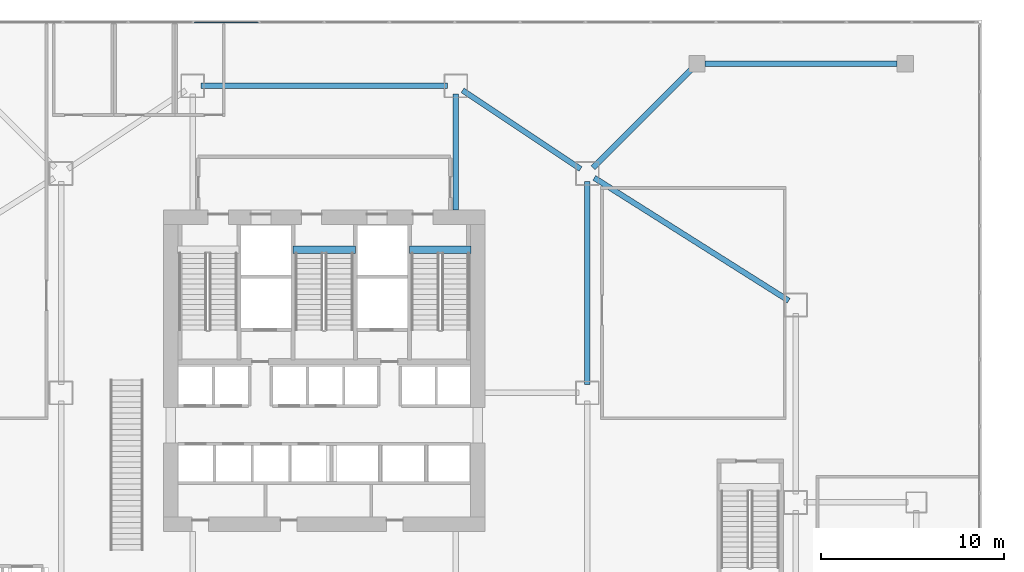
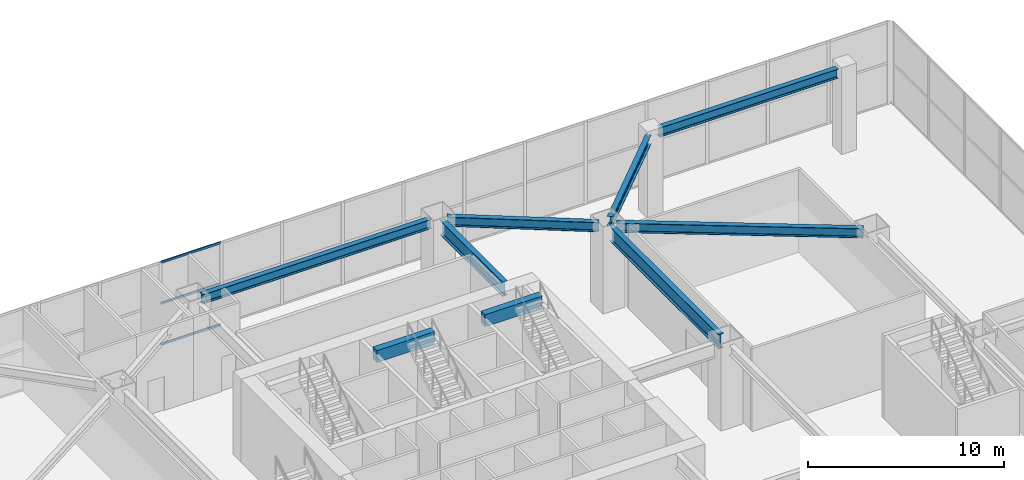
# One storey, part 18 of 37: 9 beams, 3 members, 1 element without a shape of its own.
"""IFC4 building model written with IfcOpenShell, lengths in metres."""

from ifc_helpers import new_model, si_unit, direction, frame, origin, origin_2d, place, context, subcontext, project, spatial, rectangle, hollow_rectangle, i_section, extrude, material, layer, layer_set, material_profile, profile_set, type_object, element, aggregate, save


model = new_model("IFC4")

# Units and contexts
model_context = context("Model", 3, precision=1e-05, world=origin(), true_north=direction((0.0, 1.0)))
body_context = subcontext(model_context, "Body", "Model", "MODEL_VIEW")
ifc_project = project(units=[si_unit("LENGTHUNIT", "METRE"), si_unit("AREAUNIT", "SQUARE_METRE"), si_unit("VOLUMEUNIT", "CUBIC_METRE"), si_unit("PLANEANGLEUNIT", "RADIAN"), si_unit("MASSUNIT", "GRAM", prefix="KILO")], contexts=[model_context])

# Site, building, storey
site_placement = place(None, origin())
site = spatial("IfcSite", under=ifc_project, at=site_placement, CompositionType="ELEMENT")
building_placement = place(site_placement, origin())
building = spatial("IfcBuilding", under=site, at=building_placement, Name="Haolan Belvedere Tower", CompositionType="ELEMENT")
storey_placement = place(building_placement, frame((0.0, 0.0, 10.199951171875)))
storey = spatial("IfcBuildingStorey", under=building, at=storey_placement, Name="L02", CompositionType="ELEMENT", Elevation=10.199951171875)

# Beams
ifc_material_1 = material(Name="Steel Q355B", Category="steel")
ifc_material_profile_1 = material_profile(ifc_material_1, i_section(OverallWidth=0.300048828125, OverallDepth=0.587890625, WebThickness=0.011962890625, FlangeThickness=0.02001953125, FilletRadius=0.028076171875, at=origin_2d()), Name="Steel Q355B")
ifc_profile_set_1 = profile_set([ifc_material_profile_1], Name="Steel Q355B")
beam_type_1 = type_object("IfcBeamType", Name="BM-HM588x300x12x20", PredefinedType="SPANDREL", material=ifc_profile_set_1)
beam_1_placement = place(storey_placement, frame((45.974365234375, 50.150390625, 4.865966796875), z_axis=(0.832050294338, -0.554700196225, 0.0), x_axis=(0.554700196225, 0.832050294338, 0.0)))
element("IfcBeam", 1, at=beam_1_placement, inside=storey, type_object=beam_type_1, Name="L02 spandrel girder MC-T3-N2-MC-T3-NE", PredefinedType="SPANDREL", context=body_context, shape_type="SweptSolid", body=[
    extrude(i_section(OverallWidth=0.300048828125, OverallDepth=0.587890625, WebThickness=0.011962890625, FlangeThickness=0.02001953125, FilletRadius=0.028076171875, at=origin_2d()), origin(), (0.0, 0.0, 1.0), 7.75341796875),
])
beam_2_placement = place(storey_placement, frame((31.64990234375, 50.39990234375, 4.865966796875), z_axis=(1.0, 0.0, 0.0), x_axis=(0.0, 1.0, 0.0)))
element("IfcBeam", 2, at=beam_2_placement, inside=storey, type_object=beam_type_1, Name="L02 spandrel girder MC-T3-N1-MC-T3-N2", PredefinedType="SPANDREL", context=body_context, shape_type="SweptSolid", body=[
    extrude(i_section(OverallWidth=0.300048828125, OverallDepth=0.587890625, WebThickness=0.011962890625, FlangeThickness=0.02001953125, FilletRadius=0.028076171875, at=origin_2d()), origin(), (0.0, 0.0, 1.0), 13.5),
])
beam_3_placement = place(storey_placement, frame((53.180419921875, 45.359619140625, 4.865966796875), z_axis=(0.845497201575, -0.5339798518, 0.0), x_axis=(0.5339798518, 0.845497201575, 0.0)))
element("IfcBeam", 3, at=beam_3_placement, inside=storey, type_object=beam_type_1, Name="L02 spandrel girder MC-T3-NE-MC-T4-NE", PredefinedType="SPANDREL", context=body_context, shape_type="SweptSolid", body=[
    extrude(i_section(OverallWidth=0.300048828125, OverallDepth=0.587890625, WebThickness=0.011962890625, FlangeThickness=0.02001953125, FilletRadius=0.028076171875, at=origin_2d()), origin(), (0.0, 0.0, 1.0), 12.583251953125),
])
beam_4_placement = place(storey_placement, frame((53.1181640625, 45.918212890625, 4.865966796875), z_axis=(0.707106781187, 0.707106781187, 0.0), x_axis=(-0.707106781187, 0.707106781187, 0.0)))
element("IfcBeam", 4, at=beam_4_placement, inside=storey, type_object=beam_type_1, Name="L02 spandrel girder MC-T3-NE-PC-NE-1", PredefinedType="SPANDREL", context=body_context, shape_type="SweptSolid", body=[
    extrude(i_section(OverallWidth=0.300048828125, OverallDepth=0.587890625, WebThickness=0.011962890625, FlangeThickness=0.02001953125, FilletRadius=0.028076171875, at=origin_2d()), origin(), (0.0, 0.0, 1.0), 7.585205078125),
])
beam_5_placement = place(storey_placement, frame((59.25, 51.60009765625, 4.865966796875), z_axis=(1.0, 0.0, 0.0), x_axis=(0.0, 1.0, 0.0)))
element("IfcBeam", 5, at=beam_5_placement, inside=storey, type_object=beam_type_1, Name="L02 spandrel girder PC-NE-1-PC-NE-2", PredefinedType="SPANDREL", context=body_context, shape_type="SweptSolid", body=[
    extrude(i_section(OverallWidth=0.300048828125, OverallDepth=0.587890625, WebThickness=0.011962890625, FlangeThickness=0.02001953125, FilletRadius=0.028076171875, at=origin_2d()), origin(), (0.0, 0.0, 1.0), 10.5),
])
ifc_material_profile_2 = material_profile(ifc_material_1, i_section(OverallWidth=0.300048828125, OverallDepth=0.89990234375, WebThickness=0.01611328125, FlangeThickness=0.028076171875, FilletRadius=0.028076171875, at=origin_2d()), Name="Steel Q355B")
ifc_profile_set_2 = profile_set([ifc_material_profile_2], Name="Steel Q355B")
beam_type_2 = type_object("IfcBeamType", Name="BM-HN900x300x16x28", PredefinedType="BEAM", material=ifc_profile_set_2)
beam_6_placement = place(storey_placement, frame((52.800048828125, 34.050048828125, 4.7099609375), z_axis=(0.0, 1.0, 0.0), x_axis=(-1.0, 0.0, 0.0)))
element("IfcBeam", 6, at=beam_6_placement, inside=storey, type_object=beam_type_2, Name="L02 primary girder MC-T3-ME-MC-T3-NE", PredefinedType="BEAM", context=body_context, shape_type="SweptSolid", body=[
    extrude(i_section(OverallWidth=0.300048828125, OverallDepth=0.89990234375, WebThickness=0.01611328125, FlangeThickness=0.028076171875, FilletRadius=0.028076171875, at=origin_2d()), origin(), (0.0, 0.0, 1.0), 11.099853515625),
])
beam_7_placement = place(storey_placement, frame((45.60009765625, 49.949951171875, 4.7099609375), z_axis=(0.0, -1.0, 0.0), x_axis=(1.0, 0.0, 0.0)))
element("IfcBeam", 7, at=beam_7_placement, inside=storey, type_object=beam_type_2, Name="L02 core tie beam from MC-T3-N2", PredefinedType="BEAM", context=body_context, shape_type="SweptSolid", body=[
    extrude(i_section(OverallWidth=0.300048828125, OverallDepth=0.89990234375, WebThickness=0.01611328125, FlangeThickness=0.028076171875, FilletRadius=0.028076171875, at=origin_2d()), origin(), (0.0, 0.0, 1.0), 6.349853515625),
])
ifc_material_2 = material(Name="Concrete C50/60", Category="concrete")
ifc_material_profile_3 = material_profile(ifc_material_2, rectangle(XDim=0.39990234375, YDim=0.75, at=origin_2d()), Name="Concrete C50/60")
ifc_profile_set_3 = profile_set([ifc_material_profile_3], Name="Concrete C50/60")
beam_type_3 = type_object("IfcBeamType", Name="BM-RC400x750", PredefinedType="T_BEAM", material=ifc_profile_set_3)
beam_8_placement = place(storey_placement, frame((36.699951171875, 41.429931640625, 5.025146484375), z_axis=(1.0, 0.0, 0.0), x_axis=(0.0, 1.0, 0.0)))
element("IfcBeam", 8, at=beam_8_placement, inside=storey, type_object=beam_type_3, Name="L03 stair ST3 RC header trimmer beam", PredefinedType="BEAM", context=body_context, shape_type="SweptSolid", body=[
    extrude(rectangle(XDim=0.39990234375, YDim=0.75, at=origin_2d()), origin(), (0.0, 0.0, 1.0), 3.400146484375),
])
beam_9_placement = place(storey_placement, frame((43.06005859375, 41.429931640625, 5.025146484375), z_axis=(1.0, 0.0, 0.0), x_axis=(0.0, 1.0, 0.0)))
element("IfcBeam", 9, at=beam_9_placement, inside=storey, type_object=beam_type_3, Name="L03 stair ST2 RC header trimmer beam", PredefinedType="BEAM", context=body_context, shape_type="SweptSolid", body=[
    extrude(rectangle(XDim=0.39990234375, YDim=0.75, at=origin_2d()), origin(), (0.0, 0.0, 1.0), 3.35986328125),
])

# Curtain wall, members
ifc_material_3 = material(Name="Anodised champagne-silver aluminium 6063-T6 and Low-E glass", Category="aluminium")
ifc_layer = layer(ifc_material_3, 0.179931640625, Name="Anodised champagne-silver aluminium 6063-T6 and Low-E glass")
ifc_layer_set = layer_set([ifc_layer], Name="Anodised champagne-silver aluminium 6063-T6 and Low-E glass")
curtain_wall_type = type_object("IfcCurtainWallType", Name="CW-SYS-01", PredefinedType="NOTDEFINED", material=ifc_layer_set)
curtain_wall_placement = place(storey_placement, origin())
curtain_wall = element("IfcCurtainWall", 10, at=curtain_wall_placement, inside=storey, type_object=curtain_wall_type, Name="L02 CW-SYS-01 ribbon curtain wall 3.1", PredefinedType="NOTDEFINED")
ifc_material_4 = material(Name="Anodised aluminium 6063-T6", Category="aluminium")
ifc_material_profile_4 = material_profile(ifc_material_4, hollow_rectangle(XDim=0.06005859375, YDim=0.139892578125, WallThickness=0.00390625, at=origin_2d()), Name="Anodised aluminium 6063-T6")
ifc_profile_set_4 = profile_set([ifc_material_profile_4], Name="Anodised aluminium 6063-T6")
member_type = type_object("IfcMemberType", Name="CW-SYS-01-TRN", PredefinedType="USERDEFINED", material=ifc_profile_set_4)
member_1_placement = place(storey_placement, frame((34.79443359375, 53.8701171875, 0.030029296875), z_axis=(-1.0, 0.0, 0.0), x_axis=(0.0, -1.0, 0.0)))
member_1 = element("IfcMember", 11, at=member_1_placement, type_object=member_type, Name="CW-01 transom 12.1", ObjectType="TRANSOM", PredefinedType="USERDEFINED", context=body_context, shape_type="SweptSolid", body=[
    extrude(hollow_rectangle(XDim=0.06005859375, YDim=0.139892578125, WallThickness=0.00390625, at=origin_2d()), origin(), (0.0, 0.0, 1.0), 3.5078125),
])
member_2_placement = place(storey_placement, frame((34.79443359375, 53.8701171875, 2.580078125), z_axis=(-1.0, 0.0, 0.0), x_axis=(0.0, -1.0, 0.0)))
member_2 = element("IfcMember", 12, at=member_2_placement, type_object=member_type, Name="CW-01 transom 12.2", ObjectType="TRANSOM", PredefinedType="USERDEFINED", context=body_context, shape_type="SweptSolid", body=[
    extrude(hollow_rectangle(XDim=0.06005859375, YDim=0.139892578125, WallThickness=0.00390625, at=origin_2d()), origin(), (0.0, 0.0, 1.0), 3.5078125),
])
member_3_placement = place(storey_placement, frame((34.79443359375, 53.8701171875, 5.130126953125), z_axis=(-1.0, 0.0, 0.0), x_axis=(0.0, -1.0, 0.0)))
member_3 = element("IfcMember", 13, at=member_3_placement, type_object=member_type, Name="CW-01 transom 12.3", ObjectType="TRANSOM", PredefinedType="USERDEFINED", context=body_context, shape_type="SweptSolid", body=[
    extrude(hollow_rectangle(XDim=0.06005859375, YDim=0.139892578125, WallThickness=0.00390625, at=origin_2d()), origin(), (0.0, 0.0, 1.0), 3.5078125),
])
aggregate(curtain_wall, [member_1, member_2, member_3])

save(model, "model.ifc")
